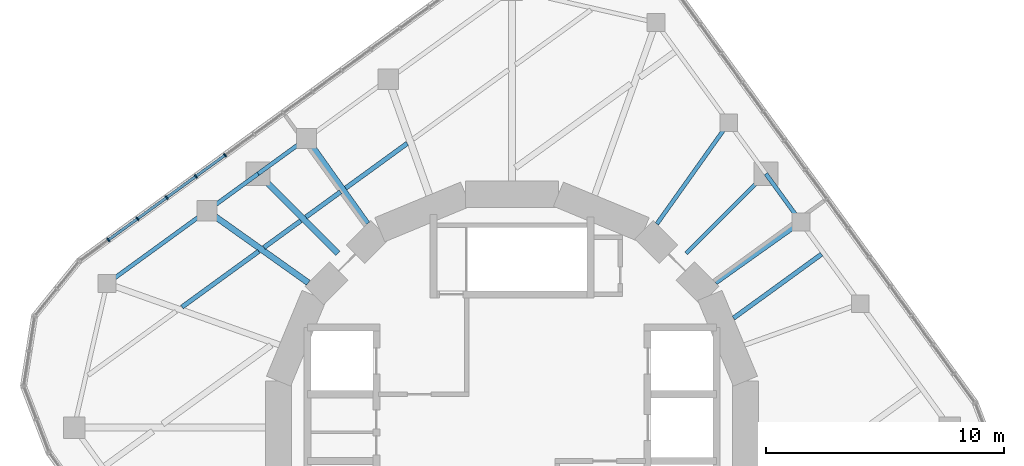
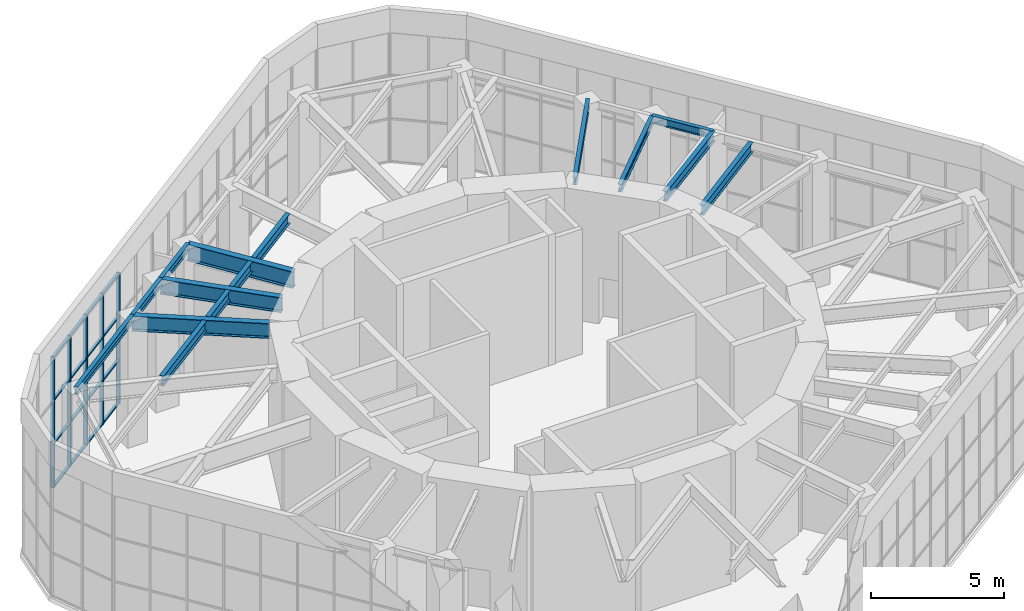
# One storey, part 6 of 17: 21 members, 15 beams, 1 element without a shape of its own.
"""IFC4 building model written with IfcOpenShell, lengths in metres."""

from ifc_helpers import new_model, si_unit, direction, frame, origin, origin_2d, place, context, subcontext, project, spatial, rectangle, i_section, extrude, material, material_profile, profile_set, type_object, element, aggregate, save


model = new_model("IFC4")

# Units and contexts
model_context = context("Model", 3, precision=1e-05, world=origin(), true_north=direction((0.0, 1.0)))
body_context = subcontext(model_context, "Body", "Model", "MODEL_VIEW")
ifc_project = project(units=[si_unit("LENGTHUNIT", "METRE"), si_unit("AREAUNIT", "SQUARE_METRE"), si_unit("VOLUMEUNIT", "CUBIC_METRE"), si_unit("PLANEANGLEUNIT", "RADIAN"), si_unit("MASSUNIT", "GRAM", prefix="KILO")], contexts=[model_context])

# Site, building, storey
site_placement = place(None, origin())
site = spatial("IfcSite", under=ifc_project, at=site_placement, CompositionType="ELEMENT")
building_placement = place(site_placement, origin())
building = spatial("IfcBuilding", under=site, at=building_placement, Name="Nakasero Lantern House", CompositionType="ELEMENT")
storey_placement = place(building_placement, frame((0.0, 0.0, 304.39990234375)))
storey = spatial("IfcBuildingStorey", under=building, at=storey_placement, Name="L74", CompositionType="ELEMENT", Elevation=304.39990234375)

# Beams
ifc_material_1 = material(Name="Steel S355", Category="steel")
ifc_material_profile_1 = material_profile(ifc_material_1, i_section(OverallWidth=0.18994140625, OverallDepth=0.453369140625, WebThickness=0.008544921875, FlangeThickness=0.0126953125, FilletRadius=0.01025390625, at=origin_2d()), Name="UB 457x191x67")
ifc_profile_set_1 = profile_set([ifc_material_profile_1], Name="Steel S355")
beam_type_1 = type_object("IfcBeamType", Name="Infill beam UB 457x191x67", PredefinedType="JOIST", material=ifc_profile_set_1)
beam_1_placement = place(storey_placement, frame((9.306396484375, 4.598388671875, 5.5234375), z_axis=(0.809017640959, 0.587784362344, 0.0), x_axis=(-0.587784362344, 0.809017640959, 0.0)))
element("IfcBeam", 1, at=beam_1_placement, inside=storey, type_object=beam_type_1, Name="Infill beam ROOF 06.1", PredefinedType="JOIST", context=body_context, shape_type="SweptSolid", body=[
    extrude(i_section(OverallWidth=0.18994140625, OverallDepth=0.453369140625, WebThickness=0.008544921875, FlangeThickness=0.0126953125, FilletRadius=0.01025390625, at=origin_2d()), origin(), (0.0, 0.0, 1.0), 4.572998046875),
])
ifc_material_2 = material(Name="Steel S355", Category="steel")
ifc_material_profile_2 = material_profile(ifc_material_2, i_section(OverallWidth=0.19140625, OverallDepth=0.4599609375, WebThickness=0.010009765625, FlangeThickness=0.01611328125, FilletRadius=0.01025390625, at=origin_2d()), Name="UB 457x191x82")
ifc_profile_set_2 = profile_set([ifc_material_profile_2], Name="Steel S355")
beam_type_2 = type_object("IfcBeamType", Name="Infill beam UB 457x191x82", PredefinedType="JOIST", material=ifc_profile_set_2)
beam_2_placement = place(storey_placement, frame((-13.86767578125, 5.06640625, 5.52001953125), z_axis=(0.809003397201, 0.587803966742, 0.0), x_axis=(-0.587803966742, 0.809003397201, 0.0)))
element("IfcBeam", 2, at=beam_2_placement, inside=storey, type_object=beam_type_2, Name="Infill beam ROOF 10.2", PredefinedType="JOIST", context=body_context, shape_type="SweptSolid", body=[
    extrude(i_section(OverallWidth=0.19140625, OverallDepth=0.4599609375, WebThickness=0.010009765625, FlangeThickness=0.01611328125, FilletRadius=0.01025390625, at=origin_2d()), origin(), (0.0, 0.0, 1.0), 3.98779296875),
])
beam_3_placement = place(storey_placement, frame((-10.423095703125, 7.56884765625, 5.52001953125), z_axis=(0.80900078054, 0.587807568074, 0.0), x_axis=(-0.587807568074, 0.80900078054, 0.0)))
element("IfcBeam", 3, at=beam_3_placement, inside=storey, type_object=beam_type_2, Name="Infill beam ROOF 10.3", PredefinedType="JOIST", context=body_context, shape_type="SweptSolid", body=[
    extrude(i_section(OverallWidth=0.19140625, OverallDepth=0.4599609375, WebThickness=0.010009765625, FlangeThickness=0.01611328125, FilletRadius=0.01025390625, at=origin_2d()), origin(), (0.0, 0.0, 1.0), 1.913818359375),
])
beam_4_placement = place(storey_placement, frame((-8.665283203125, 8.84619140625, 5.52001953125), z_axis=(0.809028941909, 0.58776880757, 0.0), x_axis=(-0.58776880757, 0.809028941909, 0.0)))
element("IfcBeam", 4, at=beam_4_placement, inside=storey, type_object=beam_type_2, Name="Infill beam ROOF 10.4", PredefinedType="JOIST", context=body_context, shape_type="SweptSolid", body=[
    extrude(i_section(OverallWidth=0.19140625, OverallDepth=0.4599609375, WebThickness=0.010009765625, FlangeThickness=0.01611328125, FilletRadius=0.01025390625, at=origin_2d()), origin(), (0.0, 0.0, 1.0), 1.8017578125),
])
beam_5_placement = place(storey_placement, frame((-6.99169921875, 10.06201171875, 5.52001953125), z_axis=(0.809022910718, 0.587777109059, 0.0), x_axis=(-0.587777109059, 0.809022910718, 0.0)))
element("IfcBeam", 5, at=beam_5_placement, inside=storey, type_object=beam_type_2, Name="Infill beam ROOF 10.5", PredefinedType="JOIST", context=body_context, shape_type="SweptSolid", body=[
    extrude(i_section(OverallWidth=0.19140625, OverallDepth=0.4599609375, WebThickness=0.010009765625, FlangeThickness=0.01611328125, FilletRadius=0.01025390625, at=origin_2d()), origin(), (0.0, 0.0, 1.0), 3.201171875),
])

# Curtain wall, members
ifc_material_3 = material(Name="Aluminium 6063-T6 and glass", Category="aluminium")
curtain_wall_type = type_object("IfcCurtainWallType", Name="Lantern glazing CW-4", PredefinedType="USERDEFINED", material=ifc_material_3)
curtain_wall_placement = place(storey_placement, origin())
curtain_wall = element("IfcCurtainWall", 6, at=curtain_wall_placement, inside=storey, type_object=curtain_wall_type, Name="Curtain wall CW-4 L74", ObjectType="UNITISED CURTAIN WALL", PredefinedType="USERDEFINED")
ifc_material_4 = material(Name="Aluminium 6063-T6", Category="aluminium")
ifc_material_profile_3 = material_profile(ifc_material_4, rectangle(XDim=0.06005859375, YDim=0.159912109375, at=origin_2d()), Name="CW-4 mullion 60x160")
ifc_profile_set_3 = profile_set([ifc_material_profile_3], Name="Aluminium 6063-T6")
member_type_1 = type_object("IfcMemberType", Name="Mullion CW-4", PredefinedType="MULLION", material=ifc_profile_set_3)
member_1_placement = place(storey_placement, frame((-12.060546875, 11.447265625, 0.0), z_axis=(0.0, 0.0, 1.0), x_axis=(-0.809016994375, -0.587785252292, 0.0)))
member_1 = element("IfcMember", 7, at=member_1_placement, type_object=member_type_1, Name="CW-4 mullion 10", PredefinedType="MULLION", context=body_context, shape_type="SweptSolid", body=[
    extrude(rectangle(XDim=0.06005859375, YDim=0.159912109375, at=origin_2d()), origin(), (0.0, 0.0, 1.0), 6.0),
])
member_2_placement = place(storey_placement, frame((-13.28564453125, 10.55712890625, 0.0), z_axis=(0.0, 0.0, 1.0), x_axis=(-0.809016994375, -0.587785252292, 0.0)))
member_2 = element("IfcMember", 8, at=member_2_placement, type_object=member_type_1, Name="CW-4 mullion 11", PredefinedType="MULLION", context=body_context, shape_type="SweptSolid", body=[
    extrude(rectangle(XDim=0.06005859375, YDim=0.159912109375, at=origin_2d()), origin(), (0.0, 0.0, 1.0), 6.0),
])
member_3_placement = place(storey_placement, frame((-14.5107421875, 9.667236328125, 0.0), z_axis=(0.0, 0.0, 1.0), x_axis=(-0.809016994375, -0.587785252292, 0.0)))
member_3 = element("IfcMember", 9, at=member_3_placement, type_object=member_type_1, Name="CW-4 mullion 12", PredefinedType="MULLION", context=body_context, shape_type="SweptSolid", body=[
    extrude(rectangle(XDim=0.06005859375, YDim=0.159912109375, at=origin_2d()), origin(), (0.0, 0.0, 1.0), 6.0),
])
member_4_placement = place(storey_placement, frame((-15.735595703125, 8.777099609375, 0.0), z_axis=(0.0, 0.0, 1.0), x_axis=(-0.809016994375, -0.587785252292, 0.0)))
member_4 = element("IfcMember", 10, at=member_4_placement, type_object=member_type_1, Name="CW-4 mullion 13", PredefinedType="MULLION", context=body_context, shape_type="SweptSolid", body=[
    extrude(rectangle(XDim=0.06005859375, YDim=0.159912109375, at=origin_2d()), origin(), (0.0, 0.0, 1.0), 6.0),
])
member_5_placement = place(storey_placement, frame((-16.960693359375, 7.886962890625, 0.0), z_axis=(0.0, 0.0, 1.0), x_axis=(-0.809016994375, -0.587785252292, 0.0)))
member_5 = element("IfcMember", 11, at=member_5_placement, type_object=member_type_1, Name="CW-4 mullion 14", PredefinedType="MULLION", context=body_context, shape_type="SweptSolid", body=[
    extrude(rectangle(XDim=0.06005859375, YDim=0.159912109375, at=origin_2d()), origin(), (0.0, 0.0, 1.0), 6.0),
])

# Beams
ifc_material_5 = material(Name="Steel S355", Category="steel")
ifc_material_profile_4 = material_profile(ifc_material_5, i_section(OverallWidth=0.17138671875, OverallDepth=0.35498046875, WebThickness=0.00732421875, FlangeThickness=0.011474609375, FilletRadius=0.01025390625, at=origin_2d()), Name="UB 356x171x51")
ifc_profile_set_4 = profile_set([ifc_material_profile_4], Name="Steel S355")
beam_type_3 = type_object("IfcBeamType", Name="Primary beam UB 356x171x51, span to 6 m", PredefinedType="BEAM", material=ifc_profile_set_4)
beam_6_placement = place(storey_placement, frame((10.667236328125, 10.667236328125, 5.572509765625), z_axis=(-0.707106781187, -0.707106781187, 0.0), x_axis=(0.707106781187, -0.707106781187, 0.0)))
element("IfcBeam", 12, at=beam_6_placement, inside=storey, type_object=beam_type_3, Name="Primary beam ROOF B7-C06", PredefinedType="BEAM", context=body_context, shape_type="SweptSolid", body=[
    extrude(i_section(OverallWidth=0.17138671875, OverallDepth=0.35498046875, WebThickness=0.00732421875, FlangeThickness=0.011474609375, FilletRadius=0.01025390625, at=origin_2d()), origin(), (0.0, 0.0, 1.0), 4.727783203125),
])
beam_7_placement = place(storey_placement, frame((9.10986328125, 12.810791015625, 5.572509765625), z_axis=(-0.579500985986, -0.814971537688, 0.0), x_axis=(0.814971537688, -0.579500985986, 0.0)))
element("IfcBeam", 13, at=beam_7_placement, inside=storey, type_object=beam_type_3, Name="Primary beam ROOF B7-C07", PredefinedType="BEAM", context=body_context, shape_type="SweptSolid", body=[
    extrude(i_section(OverallWidth=0.17138671875, OverallDepth=0.35498046875, WebThickness=0.00732421875, FlangeThickness=0.011474609375, FilletRadius=0.01025390625, at=origin_2d()), origin(), (0.0, 0.0, 1.0), 5.215087890625),
])
ifc_material_6 = material(Name="Steel S355", Category="steel")
ifc_material_profile_5 = material_profile(ifc_material_6, i_section(OverallWidth=0.19140625, OverallDepth=0.4599609375, WebThickness=0.010009765625, FlangeThickness=0.01611328125, FilletRadius=0.01025390625, at=origin_2d()), Name="UB 457x191x82")
ifc_profile_set_5 = profile_set([ifc_material_profile_5], Name="Steel S355")
beam_type_4 = type_object("IfcBeamType", Name="Primary beam UB 457x191x82, span to 6 m", PredefinedType="BEAM", material=ifc_profile_set_5)
beam_8_placement = place(storey_placement, frame((12.1435546875, 8.63525390625, 5.52001953125), z_axis=(-0.814988544116, -0.579477068537, 0.0), x_axis=(0.579477068537, -0.814988544116, 0.0)))
element("IfcBeam", 14, at=beam_8_placement, inside=storey, type_object=beam_type_4, Name="Primary beam ROOF B7-C05", PredefinedType="BEAM", context=body_context, shape_type="SweptSolid", body=[
    extrude(i_section(OverallWidth=0.19140625, OverallDepth=0.4599609375, WebThickness=0.010009765625, FlangeThickness=0.01611328125, FilletRadius=0.01025390625, at=origin_2d()), origin(), (0.0, 0.0, 1.0), 4.396484375),
])
ifc_material_7 = material(Name="Steel S355", Category="steel")
ifc_material_profile_6 = material_profile(ifc_material_7, i_section(OverallWidth=0.255859375, OverallDepth=0.69287109375, WebThickness=0.014404296875, FlangeThickness=0.023681640625, FilletRadius=0.01513671875, at=origin_2d()), Name="UB 686x254x170")
ifc_profile_set_6 = profile_set([ifc_material_profile_6], Name="Steel S355")
beam_type_5 = type_object("IfcBeamType", Name="Primary beam UB 686x254x170, span to 6 m", PredefinedType="BEAM", material=ifc_profile_set_6)
beam_9_placement = place(storey_placement, frame((-10.667236328125, 10.667236328125, 5.403564453125), z_axis=(0.707106781187, -0.707106781187, 0.0), x_axis=(0.707106781187, 0.707106781187, 0.0)))
element("IfcBeam", 15, at=beam_9_placement, inside=storey, type_object=beam_type_5, Name="Primary beam ROOF B7-C12", PredefinedType="BEAM", context=body_context, shape_type="SweptSolid", body=[
    extrude(i_section(OverallWidth=0.255859375, OverallDepth=0.69287109375, WebThickness=0.014404296875, FlangeThickness=0.023681640625, FilletRadius=0.01513671875, at=origin_2d()), origin(), (0.0, 0.0, 1.0), 4.727783203125),
])
beam_10_placement = place(storey_placement, frame((-12.810791015625, 9.10986328125, 5.403564453125), z_axis=(0.814971537688, -0.579500985986, 0.0), x_axis=(0.579500985986, 0.814971537688, 0.0)))
element("IfcBeam", 16, at=beam_10_placement, inside=storey, type_object=beam_type_5, Name="Primary beam ROOF B7-C13", PredefinedType="BEAM", context=body_context, shape_type="SweptSolid", body=[
    extrude(i_section(OverallWidth=0.255859375, OverallDepth=0.69287109375, WebThickness=0.014404296875, FlangeThickness=0.023681640625, FilletRadius=0.01513671875, at=origin_2d()), origin(), (0.0, 0.0, 1.0), 5.215087890625),
])
ifc_material_8 = material(Name="Steel S355", Category="steel")
ifc_material_profile_7 = material_profile(ifc_material_8, i_section(OverallWidth=0.2666015625, OverallDepth=0.76220703125, WebThickness=0.014404296875, FlangeThickness=0.021484375, FilletRadius=0.0166015625, at=origin_2d()), Name="UB 762x267x173")
ifc_profile_set_7 = profile_set([ifc_material_profile_7], Name="Steel S355")
beam_type_6 = type_object("IfcBeamType", Name="Primary beam UB 762x267x173, span to 6 m", PredefinedType="BEAM", material=ifc_profile_set_7)
beam_11_placement = place(storey_placement, frame((-8.63525390625, 12.1435546875, 5.368896484375), z_axis=(0.579477068537, -0.814988544116, 0.0), x_axis=(0.814988544116, 0.579477068537, 0.0)))
element("IfcBeam", 17, at=beam_11_placement, inside=storey, type_object=beam_type_6, Name="Primary beam ROOF B7-C11", PredefinedType="BEAM", context=body_context, shape_type="SweptSolid", body=[
    extrude(i_section(OverallWidth=0.2666015625, OverallDepth=0.76220703125, WebThickness=0.014404296875, FlangeThickness=0.021484375, FilletRadius=0.0166015625, at=origin_2d()), origin(), (0.0, 0.0, 1.0), 4.396484375),
])
ifc_material_9 = material(Name="Steel S355", Category="steel")
ifc_material_profile_8 = material_profile(ifc_material_9, i_section(OverallWidth=0.17138671875, OverallDepth=0.35498046875, WebThickness=0.00732421875, FlangeThickness=0.011474609375, FilletRadius=0.01025390625, at=origin_2d()), Name="UB 356x171x51")
ifc_profile_set_8 = profile_set([ifc_material_profile_8], Name="Steel S355")
beam_type_7 = type_object("IfcBeamType", Name="Ring beam UB 356x171x51", PredefinedType="BEAM", material=ifc_profile_set_8)
for number, where, z_axis, x_axis, name in (
    (18, (12.1435546875, 8.63525390625, 5.572509765625), (-0.58778439593, 0.809017616558, 0.0), (-0.809017616558, -0.58778439593, 0.0), "Ring beam ROOF B7-C05"),
    (19, (-8.63525390625, 12.1435546875, 5.572509765625), (-0.809017616558, -0.58778439593, 0.0), (0.58778439593, -0.809017616558, 0.0), "Ring beam ROOF B7-C11"),
):
    element("IfcBeam", number, at=place(storey_placement, frame(where, z_axis=z_axis, x_axis=x_axis)), inside=storey, type_object=beam_type_7, Name=name, PredefinedType="BEAM", context=body_context, shape_type="SweptSolid", body=[
        extrude(i_section(OverallWidth=0.17138671875, OverallDepth=0.35498046875, WebThickness=0.00732421875, FlangeThickness=0.011474609375, FilletRadius=0.01025390625, at=origin_2d()), origin(), (0.0, 0.0, 1.0), 2.51171875),
    ])
beam_12_placement = place(storey_placement, frame((-10.667236328125, 10.667236328125, 5.572509765625), z_axis=(-0.809018895839, -0.587782635143, 0.0), x_axis=(0.587782635143, -0.809018895839, 0.0)))
element("IfcBeam", 20, at=beam_12_placement, inside=storey, type_object=beam_type_7, Name="Ring beam ROOF B7-C12", PredefinedType="BEAM", context=body_context, shape_type="SweptSolid", body=[
    extrude(i_section(OverallWidth=0.17138671875, OverallDepth=0.35498046875, WebThickness=0.00732421875, FlangeThickness=0.011474609375, FilletRadius=0.01025390625, at=origin_2d()), origin(), (0.0, 0.0, 1.0), 2.649658203125),
])
beam_13_placement = place(storey_placement, frame((-12.810791015625, 9.10986328125, 5.572509765625), z_axis=(-0.809001814948, -0.587806144414, 0.0), x_axis=(0.587806144414, -0.809001814948, 0.0)))
element("IfcBeam", 21, at=beam_13_placement, inside=storey, type_object=beam_type_7, Name="Ring beam ROOF B7-C13", PredefinedType="BEAM", context=body_context, shape_type="SweptSolid", body=[
    extrude(i_section(OverallWidth=0.17138671875, OverallDepth=0.35498046875, WebThickness=0.00732421875, FlangeThickness=0.011474609375, FilletRadius=0.01025390625, at=origin_2d()), origin(), (0.0, 0.0, 1.0), 5.202880859375),
])

# Member
ifc_material_10 = material(Name="Aluminium 6063-T6", Category="aluminium")
ifc_material_profile_9 = material_profile(ifc_material_10, rectangle(XDim=0.06005859375, YDim=0.1201171875, at=origin_2d()), Name="CW-4 transom 60x120")
ifc_profile_set_9 = profile_set([ifc_material_profile_9], Name="Aluminium 6063-T6")
member_type_2 = type_object("IfcMemberType", Name="Transom CW-4", PredefinedType="USERDEFINED", material=ifc_profile_set_9)
member_6_placement = place(storey_placement, frame((-12.084716796875, 11.4296875, 0.030029296875), z_axis=(-0.809033634773, -0.587762348068, 0.0), x_axis=(0.0, 0.0, 1.0)))
member_6 = element("IfcMember", 22, at=member_6_placement, type_object=member_type_2, Name="CW-4 transom 10.1", ObjectType="TRANSOM", PredefinedType="USERDEFINED", context=body_context, shape_type="SweptSolid", body=[
    extrude(rectangle(XDim=0.06005859375, YDim=0.1201171875, at=origin_2d()), origin(), (0.0, 0.0, 1.0), 1.4541015625),
])

member_7_placement = place(storey_placement, frame((-12.084716796875, 11.4296875, 2.0), z_axis=(-0.809033634773, -0.587762348068, 0.0), x_axis=(0.0, 0.0, 1.0)))
member_7 = element("IfcMember", 23, at=member_7_placement, type_object=member_type_2, Name="CW-4 transom 10.2", ObjectType="TRANSOM", PredefinedType="USERDEFINED", context=body_context, shape_type="SweptSolid", body=[
    extrude(rectangle(XDim=0.06005859375, YDim=0.1201171875, at=origin_2d()), origin(), (0.0, 0.0, 1.0), 1.4541015625),
])

member_8_placement = place(storey_placement, frame((-12.084716796875, 11.4296875, 4.0), z_axis=(-0.809033634773, -0.587762348068, 0.0), x_axis=(0.0, 0.0, 1.0)))
member_8 = element("IfcMember", 24, at=member_8_placement, type_object=member_type_2, Name="CW-4 transom 10.3", ObjectType="TRANSOM", PredefinedType="USERDEFINED", context=body_context, shape_type="SweptSolid", body=[
    extrude(rectangle(XDim=0.06005859375, YDim=0.1201171875, at=origin_2d()), origin(), (0.0, 0.0, 1.0), 1.4541015625),
])

member_9_placement = place(storey_placement, frame((-12.084716796875, 11.4296875, 5.97021484375), z_axis=(-0.809033634773, -0.587762348068, 0.0), x_axis=(0.0, 0.0, 1.0)))
member_9 = element("IfcMember", 25, at=member_9_placement, type_object=member_type_2, Name="CW-4 transom 10.4", ObjectType="TRANSOM", PredefinedType="USERDEFINED", context=body_context, shape_type="SweptSolid", body=[
    extrude(rectangle(XDim=0.06005859375, YDim=0.1201171875, at=origin_2d()), origin(), (0.0, 0.0, 1.0), 1.4541015625),
])

member_10_placement = place(storey_placement, frame((-13.309814453125, 10.53955078125, 0.030029296875), z_axis=(-0.809033634773, -0.587762348068, 0.0), x_axis=(0.0, 0.0, 1.0)))
member_10 = element("IfcMember", 26, at=member_10_placement, type_object=member_type_2, Name="CW-4 transom 11.1", ObjectType="TRANSOM", PredefinedType="USERDEFINED", context=body_context, shape_type="SweptSolid", body=[
    extrude(rectangle(XDim=0.06005859375, YDim=0.1201171875, at=origin_2d()), origin(), (0.0, 0.0, 1.0), 1.4541015625),
])

member_11_placement = place(storey_placement, frame((-13.309814453125, 10.53955078125, 2.0), z_axis=(-0.809033634773, -0.587762348068, 0.0), x_axis=(0.0, 0.0, 1.0)))
member_11 = element("IfcMember", 27, at=member_11_placement, type_object=member_type_2, Name="CW-4 transom 11.2", ObjectType="TRANSOM", PredefinedType="USERDEFINED", context=body_context, shape_type="SweptSolid", body=[
    extrude(rectangle(XDim=0.06005859375, YDim=0.1201171875, at=origin_2d()), origin(), (0.0, 0.0, 1.0), 1.4541015625),
])

member_12_placement = place(storey_placement, frame((-13.309814453125, 10.53955078125, 4.0), z_axis=(-0.809033634773, -0.587762348068, 0.0), x_axis=(0.0, 0.0, 1.0)))
member_12 = element("IfcMember", 28, at=member_12_placement, type_object=member_type_2, Name="CW-4 transom 11.3", ObjectType="TRANSOM", PredefinedType="USERDEFINED", context=body_context, shape_type="SweptSolid", body=[
    extrude(rectangle(XDim=0.06005859375, YDim=0.1201171875, at=origin_2d()), origin(), (0.0, 0.0, 1.0), 1.4541015625),
])

member_13_placement = place(storey_placement, frame((-13.309814453125, 10.53955078125, 5.97021484375), z_axis=(-0.809033634773, -0.587762348068, 0.0), x_axis=(0.0, 0.0, 1.0)))
member_13 = element("IfcMember", 29, at=member_13_placement, type_object=member_type_2, Name="CW-4 transom 11.4", ObjectType="TRANSOM", PredefinedType="USERDEFINED", context=body_context, shape_type="SweptSolid", body=[
    extrude(rectangle(XDim=0.06005859375, YDim=0.1201171875, at=origin_2d()), origin(), (0.0, 0.0, 1.0), 1.4541015625),
])

member_14_placement = place(storey_placement, frame((-14.534912109375, 9.6494140625, 0.030029296875), z_axis=(-0.809033634773, -0.587762348068, 0.0), x_axis=(0.0, 0.0, 1.0)))
member_14 = element("IfcMember", 30, at=member_14_placement, type_object=member_type_2, Name="CW-4 transom 12.1", ObjectType="TRANSOM", PredefinedType="USERDEFINED", context=body_context, shape_type="SweptSolid", body=[
    extrude(rectangle(XDim=0.06005859375, YDim=0.1201171875, at=origin_2d()), origin(), (0.0, 0.0, 1.0), 1.4541015625),
])

member_15_placement = place(storey_placement, frame((-14.534912109375, 9.6494140625, 2.0), z_axis=(-0.809033634773, -0.587762348068, 0.0), x_axis=(0.0, 0.0, 1.0)))
member_15 = element("IfcMember", 31, at=member_15_placement, type_object=member_type_2, Name="CW-4 transom 12.2", ObjectType="TRANSOM", PredefinedType="USERDEFINED", context=body_context, shape_type="SweptSolid", body=[
    extrude(rectangle(XDim=0.06005859375, YDim=0.1201171875, at=origin_2d()), origin(), (0.0, 0.0, 1.0), 1.4541015625),
])

member_16_placement = place(storey_placement, frame((-14.534912109375, 9.6494140625, 4.0), z_axis=(-0.809033634773, -0.587762348068, 0.0), x_axis=(0.0, 0.0, 1.0)))
member_16 = element("IfcMember", 32, at=member_16_placement, type_object=member_type_2, Name="CW-4 transom 12.3", ObjectType="TRANSOM", PredefinedType="USERDEFINED", context=body_context, shape_type="SweptSolid", body=[
    extrude(rectangle(XDim=0.06005859375, YDim=0.1201171875, at=origin_2d()), origin(), (0.0, 0.0, 1.0), 1.4541015625),
])

member_17_placement = place(storey_placement, frame((-14.534912109375, 9.6494140625, 5.97021484375), z_axis=(-0.809033634773, -0.587762348068, 0.0), x_axis=(0.0, 0.0, 1.0)))
member_17 = element("IfcMember", 33, at=member_17_placement, type_object=member_type_2, Name="CW-4 transom 12.4", ObjectType="TRANSOM", PredefinedType="USERDEFINED", context=body_context, shape_type="SweptSolid", body=[
    extrude(rectangle(XDim=0.06005859375, YDim=0.1201171875, at=origin_2d()), origin(), (0.0, 0.0, 1.0), 1.4541015625),
])

member_18_placement = place(storey_placement, frame((-15.760009765625, 8.759521484375, 0.030029296875), z_axis=(-0.808953803009, -0.587872217916, 0.0), x_axis=(0.0, 0.0, 1.0)))
member_18 = element("IfcMember", 34, at=member_18_placement, type_object=member_type_2, Name="CW-4 transom 13.1", ObjectType="TRANSOM", PredefinedType="USERDEFINED", context=body_context, shape_type="SweptSolid", body=[
    extrude(rectangle(XDim=0.06005859375, YDim=0.1201171875, at=origin_2d()), origin(), (0.0, 0.0, 1.0), 1.454345703125),
])

member_19_placement = place(storey_placement, frame((-15.760009765625, 8.759521484375, 2.0), z_axis=(-0.808953803009, -0.587872217916, 0.0), x_axis=(0.0, 0.0, 1.0)))
member_19 = element("IfcMember", 35, at=member_19_placement, type_object=member_type_2, Name="CW-4 transom 13.2", ObjectType="TRANSOM", PredefinedType="USERDEFINED", context=body_context, shape_type="SweptSolid", body=[
    extrude(rectangle(XDim=0.06005859375, YDim=0.1201171875, at=origin_2d()), origin(), (0.0, 0.0, 1.0), 1.454345703125),
])

member_20_placement = place(storey_placement, frame((-15.760009765625, 8.759521484375, 4.0), z_axis=(-0.808953803009, -0.587872217916, 0.0), x_axis=(0.0, 0.0, 1.0)))
member_20 = element("IfcMember", 36, at=member_20_placement, type_object=member_type_2, Name="CW-4 transom 13.3", ObjectType="TRANSOM", PredefinedType="USERDEFINED", context=body_context, shape_type="SweptSolid", body=[
    extrude(rectangle(XDim=0.06005859375, YDim=0.1201171875, at=origin_2d()), origin(), (0.0, 0.0, 1.0), 1.454345703125),
])

member_21_placement = place(storey_placement, frame((-15.760009765625, 8.759521484375, 5.97021484375), z_axis=(-0.808953803009, -0.587872217916, 0.0), x_axis=(0.0, 0.0, 1.0)))
member_21 = element("IfcMember", 37, at=member_21_placement, type_object=member_type_2, Name="CW-4 transom 13.4", ObjectType="TRANSOM", PredefinedType="USERDEFINED", context=body_context, shape_type="SweptSolid", body=[
    extrude(rectangle(XDim=0.06005859375, YDim=0.1201171875, at=origin_2d()), origin(), (0.0, 0.0, 1.0), 1.454345703125),
])

aggregate(curtain_wall, [member_1, member_2, member_3, member_4, member_5, member_6, member_7, member_8, member_9, member_10, member_11, member_12, member_13, member_14, member_15, member_16, member_17, member_18, member_19, member_20, member_21])

save(model, "model.ifc")
